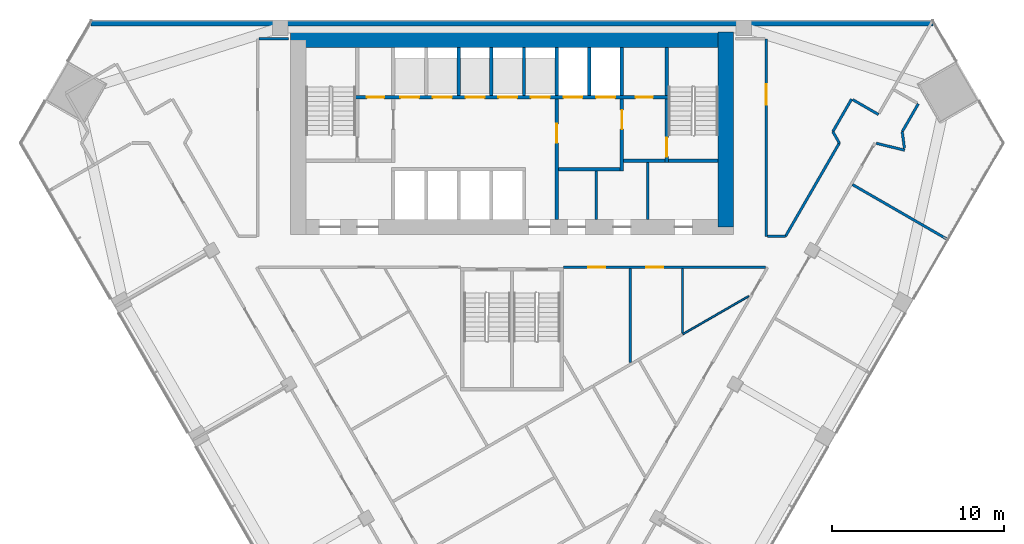
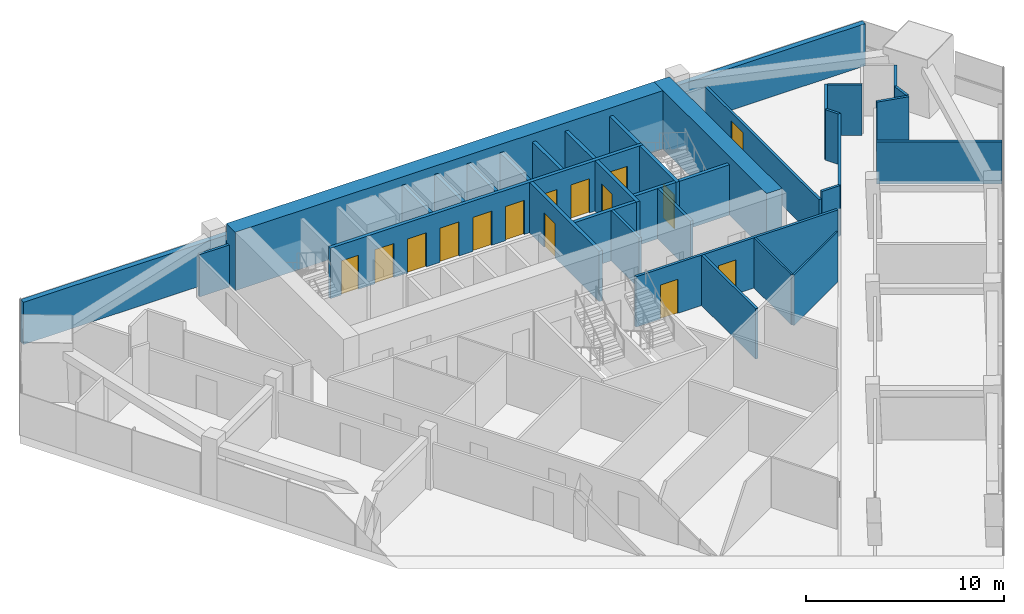
# One storey, part 11 of 14: 34 walls, 15 doors, 15 openings.
"""IFC4 building model written with IfcOpenShell, lengths in metres."""

from ifc_helpers import new_model, si_unit, direction, frame, frame_2d, origin, place, context, subcontext, project, spatial, rectangle, extrude, material, layer, layer_set, type_object, element, fill, save


model = new_model("IFC4")

# Units and contexts
model_context = context("Model", 3, precision=1e-05, world=origin(), true_north=direction((0.0, 1.0)))
body_context = subcontext(model_context, "Body", "Model", "MODEL_VIEW")
ifc_project = project(units=[si_unit("LENGTHUNIT", "METRE"), si_unit("AREAUNIT", "SQUARE_METRE"), si_unit("VOLUMEUNIT", "CUBIC_METRE"), si_unit("PLANEANGLEUNIT", "RADIAN"), si_unit("MASSUNIT", "GRAM", prefix="KILO")], contexts=[model_context])

# Site, building, storey
site_placement = place(None, origin())
site = spatial("IfcSite", under=ifc_project, at=site_placement, CompositionType="ELEMENT")
building_placement = place(site_placement, origin())
building = spatial("IfcBuilding", under=site, at=building_placement, Name="Altiplano Prism Tower", CompositionType="ELEMENT")
storey_placement = place(building_placement, frame((0.0, 0.0, 108.0)))
storey = spatial("IfcBuildingStorey", under=building, at=storey_placement, Name="L27", CompositionType="ELEMENT", Elevation=108.0)

# Walls
ifc_material_1 = material(Name="Concrete C70/85", Category="concrete")
ifc_layer_1 = layer(ifc_material_1, 0.89990234375)
ifc_layer_set_1 = layer_set([ifc_layer_1], Name="Concrete C70/85")
wall_type_1 = type_object("IfcWallType", Name="Core wall 900", PredefinedType="SHEAR", material=ifc_layer_set_1)
wall_1_placement = place(storey_placement, frame((97.449951171875, 92.949951171875, 0.0), z_axis=(0.0, 0.0, 1.0), x_axis=(0.0, 1.0, 0.0)))
element("IfcWall", 1, at=wall_1_placement, inside=storey, type_object=wall_type_1, Name="Core wall E L27", PredefinedType="SHEAR", context=body_context, shape_type="SweptSolid", body=[
    extrude(rectangle(XDim=11.35009765625, YDim=0.89990234375, at=frame_2d((5.675048828125, 0.0))), origin(), (0.0, 0.0, 1.0), 3.60009765625),
])
wall_2_placement = place(storey_placement, frame((97.449951171875, 103.85009765625, 0.0), z_axis=(0.0, 0.0, 1.0), x_axis=(-1.0, 0.0, 0.0)))
element("IfcWall", 2, at=wall_2_placement, inside=storey, type_object=wall_type_1, Name="Core wall N L27", PredefinedType="SHEAR", context=body_context, shape_type="SweptSolid", body=[
    extrude(rectangle(XDim=25.349853515625, YDim=0.89990234375, at=frame_2d((12.6748046875, 0.0))), origin(), (0.0, 0.0, 1.0), 3.60009765625),
])
ifc_material_2 = material(Name="Plasterboard on steel stud", Category="steel")
ifc_layer_2 = layer(ifc_material_2, 0.10009765625)
ifc_layer_set_2 = layer_set([ifc_layer_2], Name="Plasterboard on steel stud")
wall_type_2 = type_object("IfcWallType", Name="Partition 100 wet", PredefinedType="PARTITIONING", material=ifc_layer_set_2)
wall_3_placement = place(storey_placement, frame((94.918701171875, 90.524658203125, 0.0), z_axis=(0.0, 0.0, 1.0), x_axis=(0.0, -1.0, 0.0)))
element("IfcWall", 3, at=wall_3_placement, inside=storey, type_object=wall_type_2, Name="Partition P03 L27 034", PredefinedType="PARTITIONING", context=body_context, shape_type="SweptSolid", body=[
    extrude(rectangle(XDim=3.738525390625, YDim=0.10009765625, at=frame_2d((1.869140625, 0.0))), origin(), (0.0, 0.0, 1.0), 3.10009765625),
])
wall_4_placement = place(storey_placement, frame((94.938720703125, 86.7109375, 0.0), z_axis=(0.0, 0.0, 1.0), x_axis=(0.86600735653, 0.500031257459, 0.0)))
element("IfcWall", 4, at=wall_4_placement, inside=storey, type_object=wall_type_2, Name="Partition P03 L27 035", PredefinedType="PARTITIONING", context=body_context, shape_type="SweptSolid", body=[
    extrude(rectangle(XDim=4.425537109375, YDim=0.10009765625, at=frame_2d((2.212890625, 0.0))), origin(), (0.0, 0.0, 1.0), 3.10009765625),
])

# Wall, openings, doors
ifc_layer_3 = layer(ifc_material_2, 0.14990234375)
ifc_layer_set_3 = layer_set([ifc_layer_3], Name="Plasterboard on steel stud")
wall_type_3 = type_object("IfcWallType", Name="Partition 150 corridor", PredefinedType="PARTITIONING", material=ifc_layer_set_3)
wall_5_placement = place(storey_placement, frame((88.0, 90.59912109375, 0.0), z_axis=(0.0, 0.0, 1.0), x_axis=(0.999999996544, 8.3141069e-05, 0.0)))
wall_5 = element("IfcWall", 5, at=wall_5_placement, inside=storey, type_object=wall_type_3, Name="Partition P06 L27 001", PredefinedType="PARTITIONING", context=body_context, shape_type="SweptSolid", body=[
    extrude(rectangle(XDim=11.745849609375, YDim=0.14990234375, at=frame_2d((5.873046875, 0.0))), origin(), (0.0, 0.0, 1.0), 3.10009765625),
])
opening_1_placement = place(wall_5_placement, frame((4.806884765625, 0.0, 0.0)))
opening_1 = element("IfcOpeningElement", 6, at=opening_1_placement, cuts=wall_5, Name="Opening D0994", PredefinedType="OPENING", context=body_context, shape_type="SweptSolid", body=[
    extrude(rectangle(XDim=1.0, YDim=2.10009765625, at=frame_2d((0.5, 1.050048828125))), frame((0.0, 0.08544921875, 0.0), z_axis=(0.0, -1.0, 0.0), x_axis=(1.0, 0.0, 0.0)), (0.0, 0.0, 1.0), 0.1708984375),
])
opening_2_placement = place(wall_5_placement, frame((1.426025390625, 0.0, 0.0)))
opening_2 = element("IfcOpeningElement", 7, at=opening_2_placement, cuts=wall_5, Name="Opening D1014", PredefinedType="OPENING", context=body_context, shape_type="SweptSolid", body=[
    extrude(rectangle(XDim=1.0, YDim=2.10009765625, at=frame_2d((0.5, 1.050048828125))), frame((0.0, 0.08544921875, 0.0), z_axis=(0.0, -1.0, 0.0), x_axis=(1.0, 0.0, 0.0)), (0.0, 0.0, 1.0), 0.1708984375),
])
ifc_material_3 = material(Name="Timber", Category="wood")
door_type_1 = type_object("IfcDoorType", Name="Room door 1000 x 2100", OperationType="NOTDEFINED", PredefinedType="NOTDEFINED", material=ifc_material_3)
door_1_placement = place(opening_2_placement, origin())
door_1 = element("IfcDoor", 8, at=door_1_placement, inside=storey, type_object=door_type_1, Name="Door D1014", OperationType="SINGLE_SWING_RIGHT", OverallHeight=2.10009765625, OverallWidth=1.0, PredefinedType="NOTDEFINED", context=body_context, shape_type="SweptSolid", body=[
    extrude(rectangle(XDim=1.0, YDim=2.10009765625, at=frame_2d((0.5, 1.050048828125))), frame((0.0, 0.02490234375, 0.0), z_axis=(0.0, -1.0, 0.0), x_axis=(1.0, 0.0, 0.0)), (0.0, 0.0, 1.0), 0.050048828125),
])
fill(opening_2, door_1)
door_type_2 = type_object("IfcDoorType", Name="Store door 1000 x 2100", OperationType="NOTDEFINED", PredefinedType="NOTDEFINED", material=ifc_material_3)
door_2_placement = place(opening_1_placement, origin())
door_2 = element("IfcDoor", 9, at=door_2_placement, inside=storey, type_object=door_type_2, Name="Door D0994", OperationType="SINGLE_SWING_RIGHT", OverallHeight=2.10009765625, OverallWidth=1.0, PredefinedType="NOTDEFINED", context=body_context, shape_type="SweptSolid", body=[
    extrude(rectangle(XDim=1.0, YDim=2.10009765625, at=frame_2d((0.5, 1.050048828125))), frame((0.0, 0.02490234375, 0.0), z_axis=(0.0, -1.0, 0.0), x_axis=(1.0, 0.0, 0.0)), (0.0, 0.0, 1.0), 0.050048828125),
])
fill(opening_1, door_2)

# Walls
wall_6_placement = place(storey_placement, frame((106.203857421875, 97.822509765625, 0.0), z_axis=(0.0, 0.0, 1.0), x_axis=(0.971939712513, -0.235230089997, 0.0)))
element("IfcWall", 10, at=wall_6_placement, inside=storey, type_object=wall_type_3, Name="Partition P06 L27 008", PredefinedType="PARTITIONING", context=body_context, shape_type="SweptSolid", body=[
    extrude(rectangle(XDim=1.699951171875, YDim=0.14990234375, at=frame_2d((0.85009765625, 0.0))), origin(), (0.0, 0.0, 1.0), 3.10009765625),
])
wall_7_placement = place(storey_placement, frame((107.842041015625, 97.531005859375, 0.0), z_axis=(0.0, 0.0, 1.0), x_axis=(-0.129413948113, 0.991590656488, 0.0)))
element("IfcWall", 11, at=wall_7_placement, inside=storey, type_object=wall_type_3, Name="Partition P06 L27 009", PredefinedType="PARTITIONING", context=body_context, shape_type="SweptSolid", body=[
    extrude(rectangle(XDim=0.977294921875, YDim=0.14990234375, at=frame_2d((0.48876953125, 0.0))), origin(), (0.0, 0.0, 1.0), 3.10009765625),
])
wall_8_placement = place(storey_placement, frame((107.715576171875, 98.5, 0.0), z_axis=(0.0, 0.0, 1.0), x_axis=(0.499951854219, 0.86605319898, 0.0)))
element("IfcWall", 12, at=wall_8_placement, inside=storey, type_object=wall_type_3, Name="Partition P06 L27 010", PredefinedType="PARTITIONING", context=body_context, shape_type="SweptSolid", body=[
    extrude(rectangle(XDim=1.873291015625, YDim=0.14990234375, at=frame_2d((0.9365234375, 0.0))), origin(), (0.0, 0.0, 1.0), 3.10009765625),
])
wall_9_placement = place(storey_placement, frame((106.329833984375, 99.5, 0.0), z_axis=(0.0, 0.0, 1.0), x_axis=(-0.866013532718, 0.500020560727, 0.0)))
element("IfcWall", 13, at=wall_9_placement, inside=storey, type_object=wall_type_3, Name="Partition P06 L27 013", PredefinedType="PARTITIONING", context=body_context, shape_type="SweptSolid", body=[
    extrude(rectangle(XDim=1.72509765625, YDim=0.14990234375, at=frame_2d((0.862548828125, 0.0))), origin(), (0.0, 0.0, 1.0), 3.10009765625),
])
wall_10_placement = place(storey_placement, frame((104.77099609375, 100.39990234375, 0.0), z_axis=(0.0, 0.0, 1.0), x_axis=(-0.500005024956, -0.866022502605, 0.0)))
element("IfcWall", 14, at=wall_10_placement, inside=storey, type_object=wall_type_3, Name="Partition P06 L27 014", PredefinedType="PARTITIONING", context=body_context, shape_type="SweptSolid", body=[
    extrude(rectangle(XDim=2.19384765625, YDim=0.14990234375, at=frame_2d((1.096923828125, 0.0))), origin(), (0.0, 0.0, 1.0), 3.10009765625),
])
wall_11_placement = place(storey_placement, frame((103.674072265625, 98.5, 0.0), z_axis=(0.0, 0.0, 1.0), x_axis=(0.50006423267, -0.865988315859, 0.0)))
element("IfcWall", 15, at=wall_11_placement, inside=storey, type_object=wall_type_3, Name="Partition P06 L27 015", PredefinedType="PARTITIONING", context=body_context, shape_type="SweptSolid", body=[
    extrude(rectangle(XDim=0.7626953125, YDim=0.14990234375, at=frame_2d((0.38134765625, 0.0))), origin(), (0.0, 0.0, 1.0), 3.10009765625),
])
wall_12_placement = place(storey_placement, frame((104.055419921875, 97.839599609375, 0.0), z_axis=(0.0, 0.0, 1.0), x_axis=(-0.499972557779, -0.866041246978, 0.0)))
element("IfcWall", 16, at=wall_12_placement, inside=storey, type_object=wall_type_3, Name="Partition P06 L27 016", PredefinedType="PARTITIONING", context=body_context, shape_type="SweptSolid", body=[
    extrude(rectangle(XDim=6.281005859375, YDim=0.14990234375, at=frame_2d((3.140625, 0.0))), origin(), (0.0, 0.0, 1.0), 3.10009765625),
])
wall_13_placement = place(storey_placement, frame((100.9150390625, 92.39990234375, 0.0), z_axis=(0.0, 0.0, 1.0), x_axis=(-1.0, 0.0, 0.0)))
element("IfcWall", 17, at=wall_13_placement, inside=storey, type_object=wall_type_3, Name="Partition P06 L27 017", PredefinedType="PARTITIONING", context=body_context, shape_type="SweptSolid", body=[
    extrude(rectangle(XDim=1.0400390625, YDim=0.14990234375, at=frame_2d((0.52001953125, 0.0))), origin(), (0.0, 0.0, 1.0), 3.10009765625),
])

# Wall, opening, door
wall_14_placement = place(storey_placement, frame((99.800048828125, 92.39990234375, 0.0), z_axis=(0.0, 0.0, 1.0), x_axis=(0.0, 1.0, 0.0)))
wall_14 = element("IfcWall", 18, at=wall_14_placement, inside=storey, type_object=wall_type_3, Name="Partition P06 L27 018", PredefinedType="PARTITIONING", context=body_context, shape_type="SweptSolid", body=[
    extrude(rectangle(XDim=11.5, YDim=0.14990234375, at=frame_2d((5.75, 0.0))), origin(), (0.0, 0.0, 1.0), 2.60009765625),
])
opening_3_placement = place(wall_14_placement, frame((7.66796875, 0.0, 0.0)))
opening_3 = element("IfcOpeningElement", 19, at=opening_3_placement, cuts=wall_14, Name="Opening D1005", PredefinedType="OPENING", context=body_context, shape_type="SweptSolid", body=[
    extrude(rectangle(XDim=1.199951171875, YDim=2.10009765625, at=frame_2d((0.60009765625, 1.050048828125))), frame((0.0, 0.08544921875, 0.0), z_axis=(0.0, -1.0, 0.0), x_axis=(1.0, 0.0, 0.0)), (0.0, 0.0, 1.0), 0.1708984375),
])
door_type_3 = type_object("IfcDoorType", Name="Shared room door 1200 x 2100", OperationType="NOTDEFINED", PredefinedType="NOTDEFINED", material=ifc_material_3)
door_3_placement = place(opening_3_placement, origin())
door_3 = element("IfcDoor", 20, at=door_3_placement, inside=storey, type_object=door_type_3, Name="Door D1005", OperationType="SINGLE_SWING_LEFT", OverallHeight=2.10009765625, OverallWidth=1.199951171875, PredefinedType="NOTDEFINED", context=body_context, shape_type="SweptSolid", body=[
    extrude(rectangle(XDim=1.199951171875, YDim=2.10009765625, at=frame_2d((0.60009765625, 1.050048828125))), frame((0.0, 0.02490234375, 0.0), z_axis=(0.0, -1.0, 0.0), x_axis=(1.0, 0.0, 0.0)), (0.0, 0.0, 1.0), 0.050048828125),
])
fill(opening_3, door_3)

# Walls
wall_15_placement = place(storey_placement, frame((72.0, 103.89990234375, 0.0), z_axis=(0.0, 0.0, 1.0), x_axis=(-1.0, 0.0, 0.0)))
element("IfcWall", 21, at=wall_15_placement, inside=storey, type_object=wall_type_3, Name="Partition P06 L27 020", PredefinedType="PARTITIONING", context=body_context, shape_type="SweptSolid", body=[
    extrude(rectangle(XDim=1.72509765625, YDim=0.14990234375, at=frame_2d((0.862548828125, 0.0))), origin(), (0.0, 0.0, 1.0), 2.60009765625),
])
ifc_layer_4 = layer(ifc_material_2, 0.14990234375)
ifc_layer_set_4 = layer_set([ifc_layer_4], Name="Plasterboard on steel stud")
wall_type_4 = type_object("IfcWallType", Name="Partition 150 party", PredefinedType="PARTITIONING", material=ifc_layer_set_4)
wall_16_placement = place(storey_placement, frame((91.8818359375, 90.5244140625, 0.0), z_axis=(0.0, 0.0, 1.0), x_axis=(0.0, -1.0, 0.0)))
element("IfcWall", 22, at=wall_16_placement, inside=storey, type_object=wall_type_4, Name="Partition P01 L27 041", PredefinedType="PARTITIONING", context=body_context, shape_type="SweptSolid", body=[
    extrude(rectangle(XDim=5.448486328125, YDim=0.14990234375, at=frame_2d((2.72412109375, 0.0))), origin(), (0.0, 0.0, 1.0), 3.10009765625),
])
wall_17_placement = place(storey_placement, frame((110.300048828125, 92.255859375, 0.0), z_axis=(0.0, 0.0, 1.0), x_axis=(-0.866032601554, 0.49998753289, 0.0)))
element("IfcWall", 23, at=wall_17_placement, inside=storey, type_object=wall_type_4, Name="Partition P01 L27 054", PredefinedType="PARTITIONING", context=body_context, shape_type="SweptSolid", body=[
    extrude(rectangle(XDim=6.324951171875, YDim=0.14990234375, at=frame_2d((3.16259765625, 0.0))), origin(), (0.0, 0.0, 1.0), 2.60009765625),
])
ifc_material_4 = material(Name="Fire-rated gypsum board partition")
ifc_layer_5 = layer(ifc_material_4, 0.14990234375)
ifc_layer_set_5 = layer_set([ifc_layer_5], Name="Fire-rated gypsum board partition")
wall_type_5 = type_object("IfcWallType", Name="Room partition 150", PredefinedType="PARTITIONING", material=ifc_layer_set_5)
wall_18_placement = place(storey_placement, frame((89.89990234375, 93.39990234375, 0.0), z_axis=(0.0, 0.0, 1.0), x_axis=(0.0, 1.0, 0.0)))
element("IfcWall", 24, at=wall_18_placement, inside=storey, type_object=wall_type_5, Name="Room partition L27", PredefinedType="PARTITIONING", context=body_context, shape_type="SweptSolid", body=[
    extrude(rectangle(XDim=2.800048828125, YDim=0.14990234375, at=frame_2d((1.39990234375, 0.0))), origin(), (0.0, 0.0, 1.0), 3.10009765625),
])
wall_19_placement = place(storey_placement, frame((92.89990234375, 93.39990234375, 0.0), z_axis=(0.0, 0.0, 1.0), x_axis=(0.0, 1.0, 0.0)))
element("IfcWall", 25, at=wall_19_placement, inside=storey, type_object=wall_type_5, Name="Room partition L27", PredefinedType="PARTITIONING", context=body_context, shape_type="SweptSolid", body=[
    extrude(rectangle(XDim=3.300048828125, YDim=0.14990234375, at=frame_2d((1.64990234375, 0.0))), origin(), (0.0, 0.0, 1.0), 3.10009765625),
])
ifc_material_5 = material(Name="Concrete C60/75", Category="concrete")
ifc_layer_6 = layer(ifc_material_5, 0.199951171875)
ifc_layer_set_6 = layer_set([ifc_layer_6], Name="Concrete C60/75")
wall_type_6 = type_object("IfcWallType", Name="Shaft wall 200", PredefinedType="SOLIDWALL", material=ifc_layer_set_6)
for number, where, z_axis, x_axis, name in (
    (26, (81.89990234375, 100.60009765625, 0.0), (0.0, 0.0, 1.0), (0.0, 1.0, 0.0), "Shaft wall L27"),
    (27, (83.800048828125, 100.60009765625, 0.0), (0.0, 0.0, 1.0), (0.0, 1.0, 0.0), "Shaft wall L27"),
    (28, (85.699951171875, 100.60009765625, 0.0), (0.0, 0.0, 1.0), (0.0, 1.0, 0.0), "Shaft wall L27"),
    (29, (87.60009765625, 100.60009765625, 0.0), (0.0, 0.0, 1.0), (0.0, 1.0, 0.0), "Shaft wall L27"),
    (30, (89.5, 100.60009765625, 0.0), (0.0, 0.0, 1.0), (0.0, 1.0, 0.0), "Shaft wall L27"),
    (31, (91.39990234375, 100.60009765625, 0.0), (0.0, 0.0, 1.0), (0.0, 1.0, 0.0), "Shaft wall L27"),
):
    element("IfcWall", number, at=place(storey_placement, frame(where, z_axis=z_axis, x_axis=x_axis)), inside=storey, type_object=wall_type_6, Name=name, PredefinedType="SOLIDWALL", context=body_context, shape_type="SweptSolid", body=[
        extrude(rectangle(XDim=2.7998046875, YDim=0.199951171875, at=frame_2d((1.39990234375, 0.0))), origin(), (0.0, 0.0, 1.0), 3.10009765625),
    ])

# Wall, opening, door
ifc_layer_7 = layer(ifc_material_5, 0.199951171875)
ifc_layer_set_7 = layer_set([ifc_layer_7], Name="Concrete C60/75")
wall_type_7 = type_object("IfcWallType", Name="Stair wall 200", PredefinedType="SOLIDWALL", material=ifc_layer_set_7)
wall_20_placement = place(storey_placement, frame((94.0, 96.699951171875, 0.0), z_axis=(0.0, 0.0, 1.0), x_axis=(0.0, 1.0, 0.0)))
wall_20 = element("IfcWall", 32, at=wall_20_placement, inside=storey, type_object=wall_type_7, Name="Stair wall L27", PredefinedType="SOLIDWALL", context=body_context, shape_type="SweptSolid", body=[
    extrude(rectangle(XDim=3.699951171875, YDim=0.199951171875, at=frame_2d((1.85009765625, 0.0))), origin(), (0.0, 0.0, 1.0), 3.10009765625),
])
opening_4_placement = place(wall_20_placement, frame((0.35009765625, 0.0, 0.0)))
opening_4 = element("IfcOpeningElement", 33, at=opening_4_placement, cuts=wall_20, Name="Opening D2947", PredefinedType="OPENING", context=body_context, shape_type="SweptSolid", body=[
    extrude(rectangle(XDim=1.10009765625, YDim=2.10009765625, at=frame_2d((0.550048828125, 1.050048828125))), frame((0.0, 0.1103515625, 0.0), z_axis=(0.0, -1.0, 0.0), x_axis=(1.0, 0.0, 0.0)), (0.0, 0.0, 1.0), 0.220947265625),
])
ifc_material_6 = material(Name="Fire-rated steel door", Category="steel")
door_type_4 = type_object("IfcDoorType", Name="Stair fire door 1100 x 2100", OperationType="NOTDEFINED", PredefinedType="NOTDEFINED", material=ifc_material_6)
door_4_placement = place(opening_4_placement, origin())
door_4 = element("IfcDoor", 34, at=door_4_placement, inside=storey, type_object=door_type_4, Name="Stair fire door D2947", OperationType="SINGLE_SWING_LEFT", OverallHeight=2.10009765625, OverallWidth=1.10009765625, PredefinedType="NOTDEFINED", context=body_context, shape_type="SweptSolid", body=[
    extrude(rectangle(XDim=1.10009765625, YDim=2.10009765625, at=frame_2d((0.550048828125, 1.050048828125))), frame((0.0, 0.02490234375, 0.0), z_axis=(0.0, -1.0, 0.0), x_axis=(1.0, 0.0, 0.0)), (0.0, 0.0, 1.0), 0.050048828125),
])
fill(opening_4, door_4)

# Wall
wall_21_placement = place(storey_placement, frame((94.10009765625, 96.800048828125, 0.0), z_axis=(0.0, 0.0, 1.0), x_axis=(1.0, 0.0, 0.0)))
element("IfcWall", 35, at=wall_21_placement, inside=storey, type_object=wall_type_7, Name="Stair wall L27", PredefinedType="SOLIDWALL", context=body_context, shape_type="SweptSolid", body=[
    extrude(rectangle(XDim=2.89990234375, YDim=0.199951171875, at=frame_2d((1.449951171875, 0.0))), origin(), (0.0, 0.0, 1.0), 3.10009765625),
])

# Wall, openings, doors
wall_22_placement = place(storey_placement, frame((75.89990234375, 100.5, 0.0), z_axis=(0.0, 0.0, 1.0), x_axis=(1.0, 0.0, 0.0)))
wall_22 = element("IfcWall", 36, at=wall_22_placement, inside=storey, type_object=wall_type_7, Name="Stair wall L27", PredefinedType="SOLIDWALL", context=body_context, shape_type="SweptSolid", body=[
    extrude(rectangle(XDim=18.2001953125, YDim=0.199951171875, at=frame_2d((9.10009765625, 0.0))), origin(), (0.0, 0.0, 1.0), 3.10009765625),
])
opening_5_placement = place(wall_22_placement, frame((2.60009765625, 0.0, 0.0)))
opening_5 = element("IfcOpeningElement", 37, at=opening_5_placement, cuts=wall_22, Name="Opening LD-LL1-L27", PredefinedType="OPENING", context=body_context, shape_type="SweptSolid", body=[
    extrude(rectangle(XDim=1.10009765625, YDim=2.10009765625, at=frame_2d((0.550048828125, 1.050048828125))), frame((0.0, 0.1103515625, 0.0), z_axis=(0.0, -1.0, 0.0), x_axis=(1.0, 0.0, 0.0)), (0.0, 0.0, 1.0), 0.220947265625),
])
opening_6_placement = place(wall_22_placement, frame((4.5, 0.0, 0.0)))
opening_6 = element("IfcOpeningElement", 38, at=opening_6_placement, cuts=wall_22, Name="Opening LD-LL2-L27", PredefinedType="OPENING", context=body_context, shape_type="SweptSolid", body=[
    extrude(rectangle(XDim=1.10009765625, YDim=2.10009765625, at=frame_2d((0.550048828125, 1.050048828125))), frame((0.0, 0.1103515625, 0.0), z_axis=(0.0, -1.0, 0.0), x_axis=(1.0, 0.0, 0.0)), (0.0, 0.0, 1.0), 0.220947265625),
])
opening_7_placement = place(wall_22_placement, frame((6.39990234375, 0.0, 0.0)))
opening_7 = element("IfcOpeningElement", 39, at=opening_7_placement, cuts=wall_22, Name="Opening LD-LL3-L27", PredefinedType="OPENING", context=body_context, shape_type="SweptSolid", body=[
    extrude(rectangle(XDim=1.10009765625, YDim=2.10009765625, at=frame_2d((0.550048828125, 1.050048828125))), frame((0.0, 0.1103515625, 0.0), z_axis=(0.0, -1.0, 0.0), x_axis=(1.0, 0.0, 0.0)), (0.0, 0.0, 1.0), 0.220947265625),
])
opening_8_placement = place(wall_22_placement, frame((8.300048828125, 0.0, 0.0)))
opening_8 = element("IfcOpeningElement", 40, at=opening_8_placement, cuts=wall_22, Name="Opening LD-LL4-L27", PredefinedType="OPENING", context=body_context, shape_type="SweptSolid", body=[
    extrude(rectangle(XDim=1.10009765625, YDim=2.10009765625, at=frame_2d((0.550048828125, 1.050048828125))), frame((0.0, 0.1103515625, 0.0), z_axis=(0.0, -1.0, 0.0), x_axis=(1.0, 0.0, 0.0)), (0.0, 0.0, 1.0), 0.220947265625),
])
opening_9_placement = place(wall_22_placement, frame((10.199951171875, 0.0, 0.0)))
opening_9 = element("IfcOpeningElement", 41, at=opening_9_placement, cuts=wall_22, Name="Opening LD-LL5-L27", PredefinedType="OPENING", context=body_context, shape_type="SweptSolid", body=[
    extrude(rectangle(XDim=1.10009765625, YDim=2.10009765625, at=frame_2d((0.550048828125, 1.050048828125))), frame((0.0, 0.1103515625, 0.0), z_axis=(0.0, -1.0, 0.0), x_axis=(1.0, 0.0, 0.0)), (0.0, 0.0, 1.0), 0.220947265625),
])
opening_10_placement = place(wall_22_placement, frame((12.10009765625, 0.0, 0.0)))
opening_10 = element("IfcOpeningElement", 42, at=opening_10_placement, cuts=wall_22, Name="Opening LD-FF1-L27", PredefinedType="OPENING", context=body_context, shape_type="SweptSolid", body=[
    extrude(rectangle(XDim=1.10009765625, YDim=2.10009765625, at=frame_2d((0.550048828125, 1.050048828125))), frame((0.0, 0.1103515625, 0.0), z_axis=(0.0, -1.0, 0.0), x_axis=(1.0, 0.0, 0.0)), (0.0, 0.0, 1.0), 0.220947265625),
])
opening_11_placement = place(wall_22_placement, frame((14.0, 0.0, 0.0)))
opening_11 = element("IfcOpeningElement", 43, at=opening_11_placement, cuts=wall_22, Name="Opening LD-FF2-L27", PredefinedType="OPENING", context=body_context, shape_type="SweptSolid", body=[
    extrude(rectangle(XDim=1.10009765625, YDim=2.10009765625, at=frame_2d((0.550048828125, 1.050048828125))), frame((0.0, 0.1103515625, 0.0), z_axis=(0.0, -1.0, 0.0), x_axis=(1.0, 0.0, 0.0)), (0.0, 0.0, 1.0), 0.220947265625),
])
opening_12_placement = place(wall_22_placement, frame((0.64990234375, 0.0, 0.0)))
opening_12 = element("IfcOpeningElement", 44, at=opening_12_placement, cuts=wall_22, Name="Opening D2954", PredefinedType="OPENING", context=body_context, shape_type="SweptSolid", body=[
    extrude(rectangle(XDim=1.0, YDim=2.10009765625, at=frame_2d((0.5, 1.050048828125))), frame((0.0, 0.1103515625, 0.0), z_axis=(0.0, -1.0, 0.0), x_axis=(1.0, 0.0, 0.0)), (0.0, 0.0, 1.0), 0.220947265625),
])
opening_13_placement = place(wall_22_placement, frame((16.300048828125, 0.0, 0.0)))
opening_13 = element("IfcOpeningElement", 45, at=opening_13_placement, cuts=wall_22, Name="Opening D2955", PredefinedType="OPENING", context=body_context, shape_type="SweptSolid", body=[
    extrude(rectangle(XDim=1.0, YDim=2.10009765625, at=frame_2d((0.5, 1.050048828125))), frame((0.0, 0.1103515625, 0.0), z_axis=(0.0, -1.0, 0.0), x_axis=(1.0, 0.0, 0.0)), (0.0, 0.0, 1.0), 0.220947265625),
])
door_type_5 = type_object("IfcDoorType", Name="Core room door 1000 x 2100", OperationType="NOTDEFINED", PredefinedType="NOTDEFINED", material=ifc_material_6)
door_5_placement = place(opening_12_placement, origin())
door_5 = element("IfcDoor", 46, at=door_5_placement, inside=storey, type_object=door_type_5, Name="Core room door D2954", OperationType="SINGLE_SWING_LEFT", OverallHeight=2.10009765625, OverallWidth=1.0, PredefinedType="NOTDEFINED", context=body_context, shape_type="SweptSolid", body=[
    extrude(rectangle(XDim=1.0, YDim=2.10009765625, at=frame_2d((0.5, 1.050048828125))), frame((0.0, 0.02490234375, 0.0), z_axis=(0.0, -1.0, 0.0), x_axis=(1.0, 0.0, 0.0)), (0.0, 0.0, 1.0), 0.050048828125),
])
fill(opening_12, door_5)
door_6_placement = place(opening_13_placement, origin())
door_6 = element("IfcDoor", 47, at=door_6_placement, inside=storey, type_object=door_type_5, Name="Core room door D2955", OperationType="SINGLE_SWING_RIGHT", OverallHeight=2.10009765625, OverallWidth=1.0, PredefinedType="NOTDEFINED", context=body_context, shape_type="SweptSolid", body=[
    extrude(rectangle(XDim=1.0, YDim=2.10009765625, at=frame_2d((0.5, 1.050048828125))), frame((0.0, 0.02490234375, 0.0), z_axis=(0.0, -1.0, 0.0), x_axis=(1.0, 0.0, 0.0)), (0.0, 0.0, 1.0), 0.050048828125),
])
fill(opening_13, door_6)
ifc_material_7 = material(Name="Stainless steel landing door", Category="steel")
door_type_6 = type_object("IfcDoorType", Name="Landing door 1100 x 2100", OperationType="NOTDEFINED", PredefinedType="NOTDEFINED", material=ifc_material_7)
door_7_placement = place(opening_5_placement, origin())
door_7 = element("IfcDoor", 48, at=door_7_placement, inside=storey, type_object=door_type_6, Name="Landing doors LL1", OperationType="SLIDING_TO_RIGHT", OverallHeight=2.10009765625, OverallWidth=1.10009765625, PredefinedType="NOTDEFINED", context=body_context, shape_type="SweptSolid", body=[
    extrude(rectangle(XDim=1.10009765625, YDim=2.10009765625, at=frame_2d((0.550048828125, 1.050048828125))), frame((0.0, 0.02490234375, 0.0), z_axis=(0.0, -1.0, 0.0), x_axis=(1.0, 0.0, 0.0)), (0.0, 0.0, 1.0), 0.050048828125),
])
fill(opening_5, door_7)
door_8_placement = place(opening_6_placement, origin())
door_8 = element("IfcDoor", 49, at=door_8_placement, inside=storey, type_object=door_type_6, Name="Landing doors LL2", OperationType="SLIDING_TO_LEFT", OverallHeight=2.10009765625, OverallWidth=1.10009765625, PredefinedType="NOTDEFINED", context=body_context, shape_type="SweptSolid", body=[
    extrude(rectangle(XDim=1.10009765625, YDim=2.10009765625, at=frame_2d((0.550048828125, 1.050048828125))), frame((0.0, 0.02490234375, 0.0), z_axis=(0.0, -1.0, 0.0), x_axis=(1.0, 0.0, 0.0)), (0.0, 0.0, 1.0), 0.050048828125),
])
fill(opening_6, door_8)
door_9_placement = place(opening_7_placement, origin())
door_9 = element("IfcDoor", 50, at=door_9_placement, inside=storey, type_object=door_type_6, Name="Landing doors LL3", OperationType="SLIDING_TO_RIGHT", OverallHeight=2.10009765625, OverallWidth=1.10009765625, PredefinedType="NOTDEFINED", context=body_context, shape_type="SweptSolid", body=[
    extrude(rectangle(XDim=1.10009765625, YDim=2.10009765625, at=frame_2d((0.550048828125, 1.050048828125))), frame((0.0, 0.02490234375, 0.0), z_axis=(0.0, -1.0, 0.0), x_axis=(1.0, 0.0, 0.0)), (0.0, 0.0, 1.0), 0.050048828125),
])
fill(opening_7, door_9)
door_10_placement = place(opening_8_placement, origin())
door_10 = element("IfcDoor", 51, at=door_10_placement, inside=storey, type_object=door_type_6, Name="Landing doors LL4", OperationType="SLIDING_TO_LEFT", OverallHeight=2.10009765625, OverallWidth=1.10009765625, PredefinedType="NOTDEFINED", context=body_context, shape_type="SweptSolid", body=[
    extrude(rectangle(XDim=1.10009765625, YDim=2.10009765625, at=frame_2d((0.550048828125, 1.050048828125))), frame((0.0, 0.02490234375, 0.0), z_axis=(0.0, -1.0, 0.0), x_axis=(1.0, 0.0, 0.0)), (0.0, 0.0, 1.0), 0.050048828125),
])
fill(opening_8, door_10)
door_11_placement = place(opening_9_placement, origin())
door_11 = element("IfcDoor", 52, at=door_11_placement, inside=storey, type_object=door_type_6, Name="Landing doors LL5", OperationType="SLIDING_TO_RIGHT", OverallHeight=2.10009765625, OverallWidth=1.10009765625, PredefinedType="NOTDEFINED", context=body_context, shape_type="SweptSolid", body=[
    extrude(rectangle(XDim=1.10009765625, YDim=2.10009765625, at=frame_2d((0.550048828125, 1.050048828125))), frame((0.0, 0.02490234375, 0.0), z_axis=(0.0, -1.0, 0.0), x_axis=(1.0, 0.0, 0.0)), (0.0, 0.0, 1.0), 0.050048828125),
])
fill(opening_9, door_11)
door_12_placement = place(opening_10_placement, origin())
door_12 = element("IfcDoor", 53, at=door_12_placement, inside=storey, type_object=door_type_6, Name="Landing doors FF1", OperationType="SLIDING_TO_RIGHT", OverallHeight=2.10009765625, OverallWidth=1.10009765625, PredefinedType="NOTDEFINED", context=body_context, shape_type="SweptSolid", body=[
    extrude(rectangle(XDim=1.10009765625, YDim=2.10009765625, at=frame_2d((0.550048828125, 1.050048828125))), frame((0.0, 0.02490234375, 0.0), z_axis=(0.0, -1.0, 0.0), x_axis=(1.0, 0.0, 0.0)), (0.0, 0.0, 1.0), 0.050048828125),
])
fill(opening_10, door_12)
door_13_placement = place(opening_11_placement, origin())
door_13 = element("IfcDoor", 54, at=door_13_placement, inside=storey, type_object=door_type_6, Name="Landing doors FF2", OperationType="SLIDING_TO_LEFT", OverallHeight=2.10009765625, OverallWidth=1.10009765625, PredefinedType="NOTDEFINED", context=body_context, shape_type="SweptSolid", body=[
    extrude(rectangle(XDim=1.10009765625, YDim=2.10009765625, at=frame_2d((0.550048828125, 1.050048828125))), frame((0.0, 0.02490234375, 0.0), z_axis=(0.0, -1.0, 0.0), x_axis=(1.0, 0.0, 0.0)), (0.0, 0.0, 1.0), 0.050048828125),
])
fill(opening_11, door_13)

# Walls
wall_23_placement = place(storey_placement, frame((94.0, 100.60009765625, 0.0), z_axis=(0.0, 0.0, 1.0), x_axis=(0.0, 1.0, 0.0)))
element("IfcWall", 55, at=wall_23_placement, inside=storey, type_object=wall_type_7, Name="Stair wall L27", PredefinedType="SOLIDWALL", context=body_context, shape_type="SweptSolid", body=[
    extrude(rectangle(XDim=2.7998046875, YDim=0.199951171875, at=frame_2d((1.39990234375, 0.0))), origin(), (0.0, 0.0, 1.0), 3.10009765625),
])
ifc_material_8 = material(Name="Concrete C40", Category="concrete")
ifc_layer_8 = layer(ifc_material_8, 0.300048828125)
ifc_layer_set_8 = layer_set([ifc_layer_8], Name="Concrete C40")
wall_type_8 = type_object("IfcWallType", Name="Stone-clad external wall 300", PredefinedType="SOLIDWALL", material=ifc_layer_set_8)
wall_24_placement = place(storey_placement, frame((60.49462890625, 104.7900390625, 0.0), z_axis=(0.0, 0.0, 1.0), x_axis=(1.0, 0.0, 0.0)))
element("IfcWall", 56, at=wall_24_placement, inside=storey, type_object=wall_type_8, Name="External wall north face L27", PredefinedType="SOLIDWALL", context=body_context, shape_type="SweptSolid", body=[
    extrude(rectangle(XDim=49.0107421875, YDim=0.300048828125, at=frame_2d((24.50537109375, 0.0))), origin(), (0.0, 0.0, 1.0), 2.60009765625),
])

# Wall, opening, door
ifc_layer_9 = layer(ifc_material_5, 0.199951171875)
ifc_layer_set_9 = layer_set([ifc_layer_9], Name="Concrete C60/75")
wall_type_9 = type_object("IfcWallType", Name="Vestibule wall 200", PredefinedType="PARTITIONING", material=ifc_layer_set_9)
wall_25_placement = place(storey_placement, frame((87.60009765625, 93.39990234375, 0.0), z_axis=(0.0, 0.0, 1.0), x_axis=(0.0, 1.0, 0.0)))
wall_25 = element("IfcWall", 57, at=wall_25_placement, inside=storey, type_object=wall_type_9, Name="Vestibule wall L27", PredefinedType="PARTITIONING", context=body_context, shape_type="SweptSolid", body=[
    extrude(rectangle(XDim=7.0, YDim=0.199951171875, at=frame_2d((3.5, 0.0))), origin(), (0.0, 0.0, 1.0), 3.10009765625),
])
opening_14_placement = place(wall_25_placement, frame((4.449951171875, 0.0, 0.0)))
opening_14 = element("IfcOpeningElement", 58, at=opening_14_placement, cuts=wall_25, Name="Opening D2949", PredefinedType="OPENING", context=body_context, shape_type="SweptSolid", body=[
    extrude(rectangle(XDim=1.10009765625, YDim=2.10009765625, at=frame_2d((0.550048828125, 1.050048828125))), frame((0.0, 0.1103515625, 0.0), z_axis=(0.0, -1.0, 0.0), x_axis=(1.0, 0.0, 0.0)), (0.0, 0.0, 1.0), 0.220947265625),
])
door_type_7 = type_object("IfcDoorType", Name="Vestibule fire door 1100 x 2100", OperationType="NOTDEFINED", PredefinedType="NOTDEFINED", material=ifc_material_6)
door_14_placement = place(opening_14_placement, origin())
door_14 = element("IfcDoor", 59, at=door_14_placement, inside=storey, type_object=door_type_7, Name="Vestibule fire door D2949", OperationType="SINGLE_SWING_RIGHT", OverallHeight=2.10009765625, OverallWidth=1.10009765625, PredefinedType="NOTDEFINED", context=body_context, shape_type="SweptSolid", body=[
    extrude(rectangle(XDim=1.10009765625, YDim=2.10009765625, at=frame_2d((0.550048828125, 1.050048828125))), frame((0.0, 0.02490234375, 0.0), z_axis=(0.0, -1.0, 0.0), x_axis=(1.0, 0.0, 0.0)), (0.0, 0.0, 1.0), 0.050048828125),
])
fill(opening_14, door_14)

# Wall
wall_26_placement = place(storey_placement, frame((87.699951171875, 96.300048828125, 0.0), z_axis=(0.0, 0.0, 1.0), x_axis=(1.0, 0.0, 0.0)))
element("IfcWall", 60, at=wall_26_placement, inside=storey, type_object=wall_type_9, Name="Vestibule wall L27", PredefinedType="PARTITIONING", context=body_context, shape_type="SweptSolid", body=[
    extrude(rectangle(XDim=3.60009765625, YDim=0.199951171875, at=frame_2d((1.800048828125, 0.0))), origin(), (0.0, 0.0, 1.0), 3.10009765625),
])

# Wall, opening, door
wall_27_placement = place(storey_placement, frame((91.39990234375, 96.199951171875, 0.0), z_axis=(0.0, 0.0, 1.0), x_axis=(0.0, 1.0, 0.0)))
wall_27 = element("IfcWall", 61, at=wall_27_placement, inside=storey, type_object=wall_type_9, Name="Vestibule wall L27", PredefinedType="PARTITIONING", context=body_context, shape_type="SweptSolid", body=[
    extrude(rectangle(XDim=4.199951171875, YDim=0.199951171875, at=frame_2d((2.10009765625, 0.0))), origin(), (0.0, 0.0, 1.0), 3.10009765625),
])
opening_15_placement = place(wall_27_placement, frame((2.449951171875, 0.0, 0.0)))
opening_15 = element("IfcOpeningElement", 62, at=opening_15_placement, cuts=wall_27, Name="Opening D2950", PredefinedType="OPENING", context=body_context, shape_type="SweptSolid", body=[
    extrude(rectangle(XDim=1.10009765625, YDim=2.10009765625, at=frame_2d((0.550048828125, 1.050048828125))), frame((0.0, 0.1103515625, 0.0), z_axis=(0.0, -1.0, 0.0), x_axis=(1.0, 0.0, 0.0)), (0.0, 0.0, 1.0), 0.220947265625),
])
door_15_placement = place(opening_15_placement, origin())
door_15 = element("IfcDoor", 63, at=door_15_placement, inside=storey, type_object=door_type_7, Name="Vestibule fire door D2950", OperationType="SINGLE_SWING_LEFT", OverallHeight=2.10009765625, OverallWidth=1.10009765625, PredefinedType="NOTDEFINED", context=body_context, shape_type="SweptSolid", body=[
    extrude(rectangle(XDim=1.10009765625, YDim=2.10009765625, at=frame_2d((0.550048828125, 1.050048828125))), frame((0.0, 0.02490234375, 0.0), z_axis=(0.0, -1.0, 0.0), x_axis=(1.0, 0.0, 0.0)), (0.0, 0.0, 1.0), 0.050048828125),
])
fill(opening_15, door_15)

# Wall
wall_28_placement = place(storey_placement, frame((91.5, 96.800048828125, 0.0), z_axis=(0.0, 0.0, 1.0), x_axis=(1.0, 0.0, 0.0)))
element("IfcWall", 64, at=wall_28_placement, inside=storey, type_object=wall_type_9, Name="Vestibule wall L27", PredefinedType="PARTITIONING", context=body_context, shape_type="SweptSolid", body=[
    extrude(rectangle(XDim=2.39990234375, YDim=0.199951171875, at=frame_2d((1.199951171875, 0.0))), origin(), (0.0, 0.0, 1.0), 3.10009765625),
])

save(model, "model.ifc")
